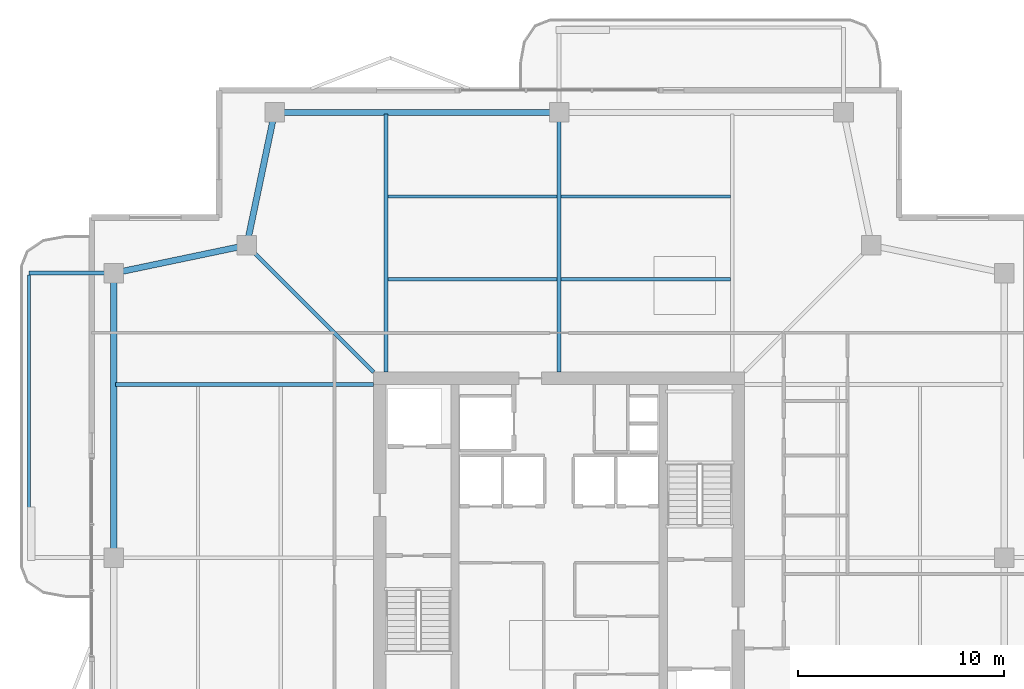
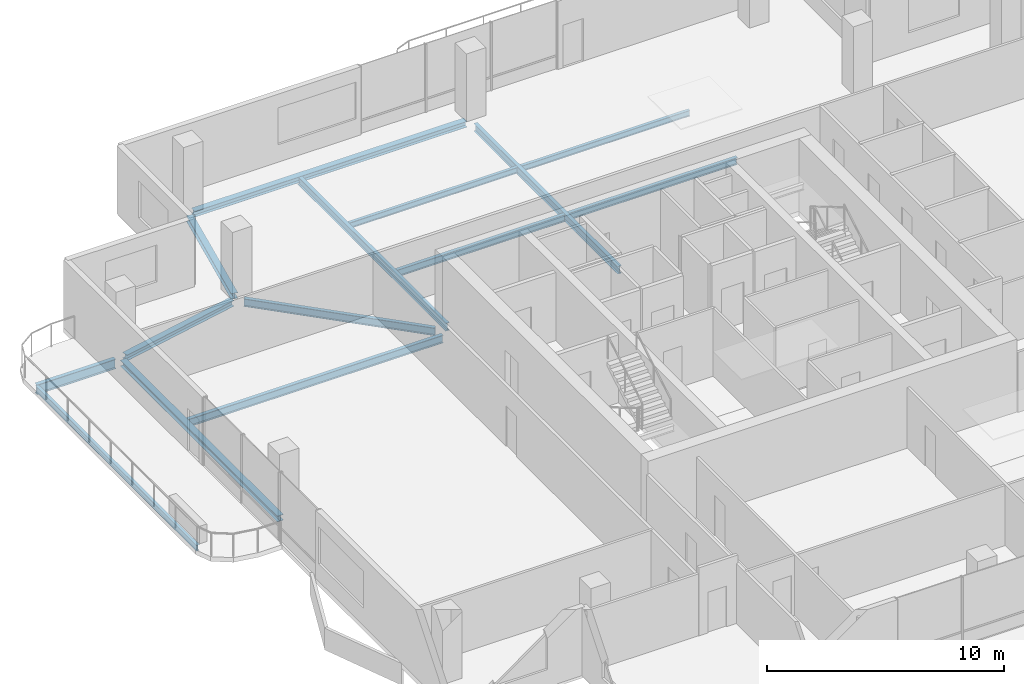
# One storey, part 9 of 17: 14 beams.
"""IFC4 building model written with IfcOpenShell, lengths in metres."""

from ifc_helpers import new_model, si_unit, direction, frame, origin, origin_2d, place, context, subcontext, project, spatial, i_section, extrude, material, material_profile, profile_set, type_object, element, save


model = new_model("IFC4")

# Units and contexts
model_context = context("Model", 3, precision=1e-05, world=origin(), true_north=direction((0.0, 1.0)))
body_context = subcontext(model_context, "Body", "Model", "MODEL_VIEW")
ifc_project = project(units=[si_unit("LENGTHUNIT", "METRE"), si_unit("AREAUNIT", "SQUARE_METRE"), si_unit("VOLUMEUNIT", "CUBIC_METRE"), si_unit("PLANEANGLEUNIT", "RADIAN"), si_unit("MASSUNIT", "GRAM", prefix="KILO")], contexts=[model_context])

# Site, building, storey
site_placement = place(None, origin())
site = spatial("IfcSite", under=ifc_project, at=site_placement, CompositionType="ELEMENT")
building_placement = place(site_placement, origin())
building = spatial("IfcBuilding", under=site, at=building_placement, Name="Belovzor Exchange Tower", CompositionType="ELEMENT")
storey_placement = place(building_placement, frame((0.0, 0.0, 325.5)))
storey = spatial("IfcBuildingStorey", under=building, at=storey_placement, Name="L81", CompositionType="ELEMENT", Elevation=325.5)

# Beams
ifc_material_1 = material(Name="Steel S355", Category="steel")
ifc_material_profile_1 = material_profile(ifc_material_1, i_section(OverallWidth=0.199951171875, OverallDepth=0.5, WebThickness=0.01025390625, FlangeThickness=0.01611328125, at=origin_2d()))
ifc_profile_set_1 = profile_set([ifc_material_profile_1], Name="Steel S355")
beam_type_1 = type_object("IfcBeamType", Name="Planted Balcony Cantilever Beam IPE 500", PredefinedType="BEAM", material=ifc_profile_set_1)
beam_1_placement = place(storey_placement, frame((6.93896484375, 42.60009765625, -0.489990234375), z_axis=(-1.0, 0.0, 0.0), x_axis=(0.0, -1.0, 0.0)))
element("IfcBeam", 1, at=beam_1_placement, inside=storey, type_object=beam_type_1, Name="BC-500 Planted Balcony Cantilever Beam IPE 500", PredefinedType="BEAM", context=body_context, shape_type="SweptSolid", body=[
    extrude(i_section(OverallWidth=0.199951171875, OverallDepth=0.5, WebThickness=0.01025390625, FlangeThickness=0.01611328125, at=origin_2d()), origin(), (0.0, 0.0, 1.0), 3.849853515625),
])
ifc_material_2 = material(Name="Steel S355", Category="steel")
ifc_material_profile_2 = material_profile(ifc_material_2, i_section(OverallWidth=0.14990234375, OverallDepth=0.300048828125, WebThickness=0.007080078125, FlangeThickness=0.0107421875, at=origin_2d()))
ifc_profile_set_2 = profile_set([ifc_material_profile_2], Name="Steel S355")
beam_type_2 = type_object("IfcBeamType", Name="Planted Balcony Fascia Edge Beam IPE 300", PredefinedType="BEAM", material=ifc_profile_set_2)
beam_2_placement = place(storey_placement, frame((3.089111328125, 42.5, -0.389892578125), z_axis=(0.0, -1.0, 0.0), x_axis=(1.0, 0.0, 0.0)))
element("IfcBeam", 2, at=beam_2_placement, inside=storey, type_object=beam_type_2, Name="BC-300 Planted Balcony Fascia Edge Beam IPE 300", PredefinedType="BEAM", context=body_context, shape_type="SweptSolid", body=[
    extrude(i_section(OverallWidth=0.14990234375, OverallDepth=0.300048828125, WebThickness=0.007080078125, FlangeThickness=0.0107421875, at=origin_2d()), origin(), (0.0, 0.0, 1.0), 13.60009765625),
])
ifc_material_3 = material(Name="Steel S355", Category="steel")
ifc_material_profile_3 = material_profile(ifc_material_3, i_section(OverallWidth=0.169921875, OverallDepth=0.360107421875, WebThickness=0.008056640625, FlangeThickness=0.0126953125, at=origin_2d()))
ifc_profile_set_3 = profile_set([ifc_material_profile_3], Name="Steel S355")
beam_type_3 = type_object("IfcBeamType", Name="Secondary Infill Floor Joist IPE 360", PredefinedType="BEAM", material=ifc_profile_set_3)
beam_3_placement = place(storey_placement, frame((20.489990234375, 42.30908203125, -0.419921875), z_axis=(1.0, 0.0, 0.0), x_axis=(0.0, 1.0, 0.0)))
element("IfcBeam", 3, at=beam_3_placement, inside=storey, type_object=beam_type_3, Name="FJ-360 Secondary Infill Floor Joist IPE 360", PredefinedType="BEAM", context=body_context, shape_type="SweptSolid", body=[
    extrude(i_section(OverallWidth=0.169921875, OverallDepth=0.360107421875, WebThickness=0.008056640625, FlangeThickness=0.0126953125, at=origin_2d()), origin(), (0.0, 0.0, 1.0), 8.219970703125),
])
beam_4_placement = place(storey_placement, frame((28.889892578125, 42.30908203125, -0.419921875), z_axis=(1.0, 0.0, 0.0), x_axis=(0.0, 1.0, 0.0)))
element("IfcBeam", 4, at=beam_4_placement, inside=storey, type_object=beam_type_3, Name="FJ-360 Secondary Infill Floor Joist IPE 360", PredefinedType="BEAM", context=body_context, shape_type="SweptSolid", body=[
    extrude(i_section(OverallWidth=0.169921875, OverallDepth=0.360107421875, WebThickness=0.008056640625, FlangeThickness=0.0126953125, at=origin_2d()), origin(), (0.0, 0.0, 1.0), 8.22021484375),
])
ifc_material_4 = material(Name="Steel S355", Category="steel")
ifc_material_profile_4 = material_profile(ifc_material_4, i_section(OverallWidth=0.14990234375, OverallDepth=0.300048828125, WebThickness=0.007080078125, FlangeThickness=0.0107421875, at=origin_2d()))
ifc_profile_set_4 = profile_set([ifc_material_profile_4], Name="Steel S355")
beam_type_4 = type_object("IfcBeamType", Name="Secondary Trim Floor Joist IPE 300", PredefinedType="BEAM", material=ifc_profile_set_4)
beam_5_placement = place(storey_placement, frame((20.489990234375, 46.31689453125, -0.389892578125), z_axis=(1.0, 0.0, 0.0), x_axis=(0.0, 1.0, 0.0)))
element("IfcBeam", 5, at=beam_5_placement, inside=storey, type_object=beam_type_4, Name="FJ-300 Secondary Trim Floor Joist IPE 300", PredefinedType="BEAM", context=body_context, shape_type="SweptSolid", body=[
    extrude(i_section(OverallWidth=0.14990234375, OverallDepth=0.300048828125, WebThickness=0.007080078125, FlangeThickness=0.0107421875, at=origin_2d()), origin(), (0.0, 0.0, 1.0), 8.219970703125),
])
beam_6_placement = place(storey_placement, frame((28.889892578125, 46.31689453125, -0.389892578125), z_axis=(1.0, 0.0, 0.0), x_axis=(0.0, 1.0, 0.0)))
element("IfcBeam", 6, at=beam_6_placement, inside=storey, type_object=beam_type_4, Name="FJ-300 Secondary Trim Floor Joist IPE 300", PredefinedType="BEAM", context=body_context, shape_type="SweptSolid", body=[
    extrude(i_section(OverallWidth=0.14990234375, OverallDepth=0.300048828125, WebThickness=0.007080078125, FlangeThickness=0.0107421875, at=origin_2d()), origin(), (0.0, 0.0, 1.0), 8.22021484375),
])
ifc_material_5 = material(Name="Steel S355", Category="steel")
ifc_material_profile_5 = material_profile(ifc_material_5, i_section(OverallWidth=0.179931640625, OverallDepth=0.39990234375, WebThickness=0.008544921875, FlangeThickness=0.013427734375, at=origin_2d()))
ifc_profile_set_5 = profile_set([ifc_material_profile_5], Name="Steel S355")
beam_type_5 = type_object("IfcBeamType", Name="Zone 5-6 Radial Composite Floor Beam IPE 400", PredefinedType="BEAM", material=ifc_profile_set_5)
beam_7_placement = place(storey_placement, frame((20.39990234375, 37.800048828125, -0.43994140625), z_axis=(0.0, 1.0, 0.0), x_axis=(-1.0, 0.0, 0.0)))
element("IfcBeam", 7, at=beam_7_placement, inside=storey, type_object=beam_type_5, Name="FB-400 Zone 5-6 Radial Composite Floor Beam IPE 400", PredefinedType="BEAM", context=body_context, shape_type="SweptSolid", body=[
    extrude(i_section(OverallWidth=0.179931640625, OverallDepth=0.39990234375, WebThickness=0.008544921875, FlangeThickness=0.013427734375, at=origin_2d()), origin(), (0.0, 0.0, 1.0), 12.52490234375),
])
beam_8_placement = place(storey_placement, frame((28.800048828125, 37.800048828125, -0.43994140625), z_axis=(0.0, 1.0, 0.0), x_axis=(-1.0, 0.0, 0.0)))
element("IfcBeam", 8, at=beam_8_placement, inside=storey, type_object=beam_type_5, Name="FB-400 Zone 5-6 Radial Composite Floor Beam IPE 400", PredefinedType="BEAM", context=body_context, shape_type="SweptSolid", body=[
    extrude(i_section(OverallWidth=0.179931640625, OverallDepth=0.39990234375, WebThickness=0.008544921875, FlangeThickness=0.013427734375, at=origin_2d()), origin(), (0.0, 0.0, 1.0), 12.181884765625),
])
beam_9_placement = place(storey_placement, frame((19.800048828125, 37.199951171875, -0.43994140625), z_axis=(-1.0, 0.0, 0.0), x_axis=(0.0, -1.0, 0.0)))
element("IfcBeam", 9, at=beam_9_placement, inside=storey, type_object=beam_type_5, Name="FB-400 Zone 5-6 Radial Composite Floor Beam IPE 400", PredefinedType="BEAM", context=body_context, shape_type="SweptSolid", body=[
    extrude(i_section(OverallWidth=0.179931640625, OverallDepth=0.39990234375, WebThickness=0.008544921875, FlangeThickness=0.013427734375, at=origin_2d()), origin(), (0.0, 0.0, 1.0), 12.525146484375),
])
beam_10_placement = place(storey_placement, frame((19.800048828125, 37.800048828125, -0.43994140625), z_axis=(-0.707062982569, 0.707150577091, 0.0), x_axis=(-0.707150577091, -0.707062982569, 0.0)))
element("IfcBeam", 10, at=beam_10_placement, inside=storey, type_object=beam_type_5, Name="FB-400 Zone 5-6 Radial Composite Floor Beam IPE 400", PredefinedType="BEAM", context=body_context, shape_type="SweptSolid", body=[
    extrude(i_section(OverallWidth=0.179931640625, OverallDepth=0.39990234375, WebThickness=0.008544921875, FlangeThickness=0.013427734375, at=origin_2d()), origin(), (0.0, 0.0, 1.0), 8.361572265625),
])
ifc_material_6 = material(Name="Steel S355", Category="steel")
ifc_material_profile_6 = material_profile(ifc_material_6, i_section(OverallWidth=0.300048828125, OverallDepth=0.300048828125, WebThickness=0.008544921875, FlangeThickness=0.013916015625, at=origin_2d()))
ifc_profile_set_6 = profile_set([ifc_material_profile_6], Name="Steel S355")
beam_type_6 = type_object("IfcBeamType", Name="Zone 6 Primary Girder HEA 300", PredefinedType="BEAM", material=ifc_profile_set_6)
beam_11_placement = place(storey_placement, frame((28.5390625, 50.39990234375, -0.389892578125), z_axis=(-1.0, 0.0, 0.0), x_axis=(0.0, -1.0, 0.0)))
element("IfcBeam", 11, at=beam_11_placement, inside=storey, type_object=beam_type_6, Name="FG-Z6 Zone 6 Primary Girder HEA 300", PredefinedType="BEAM", context=body_context, shape_type="SweptSolid", body=[
    extrude(i_section(OverallWidth=0.300048828125, OverallDepth=0.300048828125, WebThickness=0.008544921875, FlangeThickness=0.013916015625, at=origin_2d()), origin(), (0.0, 0.0, 1.0), 13.278076171875),
])
for number, where, z_axis, x_axis, name in (
    (12, (14.946044921875, 50.14404296875, -0.389892578125), (-0.204722380619, -0.978820078908, 0.0), (0.978820078908, -0.204722380619, 0.0), "FG-Z6 Zone 6 Primary Girder HEA 300"),
    (13, (13.39404296875, 43.89599609375, -0.389892578125), (-0.978820078908, -0.204722380619, 0.0), (0.204722380619, -0.978820078908, 0.0), "FG-Z6 Zone 6 Primary Girder HEA 300"),
):
    element("IfcBeam", number, at=place(storey_placement, frame(where, z_axis=z_axis, x_axis=x_axis)), inside=storey, type_object=beam_type_6, Name=name, PredefinedType="BEAM", context=body_context, shape_type="SweptSolid", body=[
        extrude(i_section(OverallWidth=0.300048828125, OverallDepth=0.300048828125, WebThickness=0.008544921875, FlangeThickness=0.013916015625, at=origin_2d()), origin(), (0.0, 0.0, 1.0), 6.06640625),
    ])
beam_12_placement = place(storey_placement, frame((7.199951171875, 42.339111328125, -0.389892578125), z_axis=(0.0, -1.0, 0.0), x_axis=(1.0, 0.0, 0.0)))
element("IfcBeam", 14, at=beam_12_placement, inside=storey, type_object=beam_type_6, Name="FG-Z6 Zone 6 Primary Girder HEA 300", PredefinedType="BEAM", context=body_context, shape_type="SweptSolid", body=[
    extrude(i_section(OverallWidth=0.300048828125, OverallDepth=0.300048828125, WebThickness=0.008544921875, FlangeThickness=0.013916015625, at=origin_2d()), origin(), (0.0, 0.0, 1.0), 13.278076171875),
])

save(model, "model.ifc")
